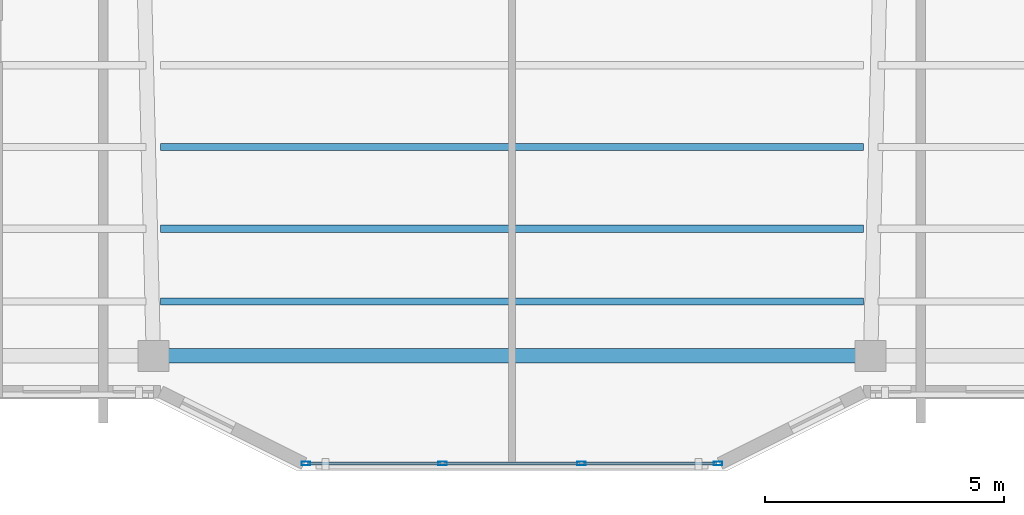
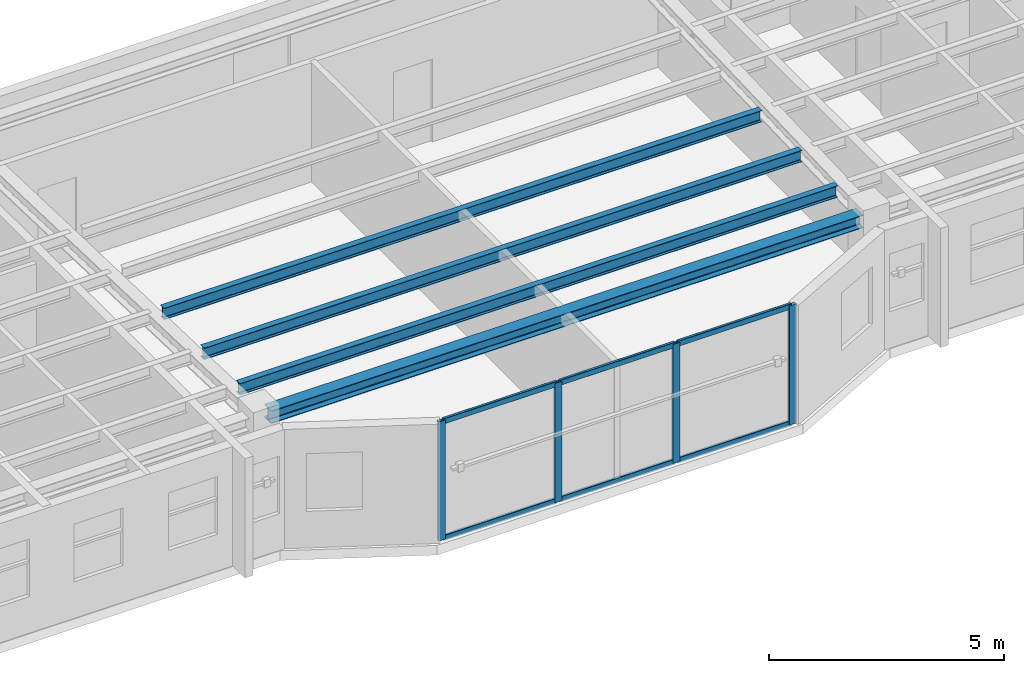
# One storey, part 2 of 14: 10 members, 4 beams, 1 element without a shape of its own.
"""IFC4 building model written with IfcOpenShell, lengths in metres."""

from ifc_helpers import new_model, si_unit, direction, frame, origin, origin_2d, place, context, subcontext, project, spatial, hollow_rectangle, i_section, extrude, material, layer, layer_set, material_profile, profile_set, type_object, element, aggregate, save


model = new_model("IFC4")

# Units and contexts
model_context = context("Model", 3, precision=1e-05, world=origin(), true_north=direction((0.0, 1.0)))
body_context = subcontext(model_context, "Body", "Model", "MODEL_VIEW")
ifc_project = project(units=[si_unit("LENGTHUNIT", "METRE"), si_unit("AREAUNIT", "SQUARE_METRE"), si_unit("VOLUMEUNIT", "CUBIC_METRE"), si_unit("PLANEANGLEUNIT", "RADIAN"), si_unit("MASSUNIT", "GRAM", prefix="KILO")], contexts=[model_context])

# Site, building, storey
site_placement = place(None, origin())
site = spatial("IfcSite", under=ifc_project, at=site_placement, CompositionType="ELEMENT")
building_placement = place(site_placement, origin())
building = spatial("IfcBuilding", under=site, at=building_placement, Name="Tarnavaz Court Tower", CompositionType="ELEMENT")
storey_placement = place(building_placement, frame((0.0, 0.0, 254.89990234375)))
storey = spatial("IfcBuildingStorey", under=building, at=storey_placement, Name="L69", CompositionType="ELEMENT", Elevation=254.89990234375)

# Beams
ifc_material_1 = material(Name="Steel S355", Category="steel")
ifc_material_profile_1 = material_profile(ifc_material_1, i_section(OverallWidth=0.14990234375, OverallDepth=0.300048828125, WebThickness=0.007080078125, FlangeThickness=0.0107421875, FilletRadius=0.014892578125, at=origin_2d()), Name="IPE 300")
ifc_profile_set_1 = profile_set([ifc_material_profile_1], Name="Steel S355")
beam_type_1 = type_object("IfcBeamType", Name="BM-J-IPE300", PredefinedType="JOIST", material=ifc_profile_set_1)
for number, where, z_axis, x_axis, name in (
    (1, (-7.35009765625, -15.72998046875, 2.9501953125), (1.0, 0.0, 0.0), (0.0, 1.0, 0.0), "L69 Beam JS3-2"),
    (2, (-7.35009765625, -17.43994140625, 2.9501953125), (1.0, 0.0, 0.0), (0.0, 1.0, 0.0), "L69 Beam JS4-2"),
    (3, (-7.35009765625, -18.9599609375, 2.9501953125), (1.0, 0.0, 0.0), (0.0, 1.0, 0.0), "L69 Beam JS5-2"),
):
    element("IfcBeam", number, at=place(storey_placement, frame(where, z_axis=z_axis, x_axis=x_axis)), inside=storey, type_object=beam_type_1, Name=name, PredefinedType="JOIST", context=body_context, shape_type="SweptSolid", body=[
        extrude(i_section(OverallWidth=0.14990234375, OverallDepth=0.300048828125, WebThickness=0.007080078125, FlangeThickness=0.0107421875, FilletRadius=0.014892578125, at=origin_2d()), origin(), (0.0, 0.0, 1.0), 14.7001953125),
    ])
ifc_material_profile_2 = material_profile(ifc_material_1, i_section(OverallWidth=0.300048828125, OverallDepth=0.330078125, WebThickness=0.009521484375, FlangeThickness=0.0166015625, FilletRadius=0.027099609375, at=origin_2d()), Name="HEA 340")
ifc_profile_set_2 = profile_set([ifc_material_profile_2], Name="Steel S355")
beam_type_2 = type_object("IfcBeamType", Name="BM-SP-HEA340", PredefinedType="BEAM", material=ifc_profile_set_2)
beam_placement = place(storey_placement, frame((-7.280029296875, -20.10009765625, 2.93505859375), z_axis=(1.0, 0.0, 0.0), x_axis=(0.0, 1.0, 0.0)))
element("IfcBeam", 4, at=beam_placement, inside=storey, type_object=beam_type_2, Name="L69 Beam PR-PS-2-PS-3", PredefinedType="BEAM", context=body_context, shape_type="SweptSolid", body=[
    extrude(i_section(OverallWidth=0.300048828125, OverallDepth=0.330078125, WebThickness=0.009521484375, FlangeThickness=0.0166015625, FilletRadius=0.027099609375, at=origin_2d()), origin(), (0.0, 0.0, 1.0), 14.56005859375),
])

# Curtain wall, members
ifc_material_2 = material(Name="Anodised Aluminium 6063-T6 and Solar Low-E Glazing", Category="aluminium")
ifc_layer = layer(ifc_material_2, 0.159912109375)
ifc_layer_set = layer_set([ifc_layer], Name="Anodised Aluminium 6063-T6 and Solar Low-E Glazing")
curtain_wall_type = type_object("IfcCurtainWallType", Name="CW-SYS-03", PredefinedType="NOTDEFINED", material=ifc_layer_set)
curtain_wall_placement = place(storey_placement, origin())
curtain_wall = element("IfcCurtainWall", 5, at=curtain_wall_placement, inside=storey, type_object=curtain_wall_type, Name="L69 Iwan Prow Curtain Wall 17", PredefinedType="NOTDEFINED")
ifc_material_3 = material(Name="Anodised Aluminium 6063-T6", Category="aluminium")
ifc_material_profile_3 = material_profile(ifc_material_3, hollow_rectangle(XDim=0.074951171875, YDim=0.179931640625, WallThickness=0.0048828125, InnerFilletRadius=0.0048828125, OuterFilletRadius=0.010009765625, at=origin_2d()), Name="ALU RHS 180X75X5")
ifc_profile_set_3 = profile_set([ifc_material_profile_3], Name="Anodised Aluminium 6063-T6")
member_type_1 = type_object("IfcMemberType", Name="CW-MUL-180", PredefinedType="MULLION", material=ifc_profile_set_3)
member_1_placement = place(storey_placement, frame((4.3125, -22.35009765625, 0.0), z_axis=(0.0, 0.0, 1.0), x_axis=(0.0, -1.0, 0.0)))
member_1 = element("IfcMember", 6, at=member_1_placement, type_object=member_type_1, Name="CW mullion 1", PredefinedType="MULLION", context=body_context, shape_type="SweptSolid", body=[
    extrude(hollow_rectangle(XDim=0.074951171875, YDim=0.179931640625, WallThickness=0.0048828125, InnerFilletRadius=0.0048828125, OuterFilletRadius=0.010009765625, at=origin_2d()), origin(), (0.0, 0.0, 1.0), 3.10009765625),
])
member_2_placement = place(storey_placement, frame((1.449951171875, -22.35009765625, 0.0), z_axis=(0.0, 0.0, 1.0), x_axis=(0.0, -1.0, 0.0)))
member_2 = element("IfcMember", 7, at=member_2_placement, type_object=member_type_1, Name="CW mullion 2", PredefinedType="MULLION", context=body_context, shape_type="SweptSolid", body=[
    extrude(hollow_rectangle(XDim=0.074951171875, YDim=0.179931640625, WallThickness=0.0048828125, InnerFilletRadius=0.0048828125, OuterFilletRadius=0.010009765625, at=origin_2d()), origin(), (0.0, 0.0, 1.0), 3.10009765625),
])
member_3_placement = place(storey_placement, frame((-1.449951171875, -22.35009765625, 0.0), z_axis=(0.0, 0.0, 1.0), x_axis=(0.0, -1.0, 0.0)))
member_3 = element("IfcMember", 8, at=member_3_placement, type_object=member_type_1, Name="CW mullion 3", PredefinedType="MULLION", context=body_context, shape_type="SweptSolid", body=[
    extrude(hollow_rectangle(XDim=0.074951171875, YDim=0.179931640625, WallThickness=0.0048828125, InnerFilletRadius=0.0048828125, OuterFilletRadius=0.010009765625, at=origin_2d()), origin(), (0.0, 0.0, 1.0), 3.10009765625),
])
member_4_placement = place(storey_placement, frame((-4.3125, -22.35009765625, 0.0), z_axis=(0.0, 0.0, 1.0), x_axis=(0.0, -1.0, 0.0)))
member_4 = element("IfcMember", 9, at=member_4_placement, type_object=member_type_1, Name="CW mullion 4", PredefinedType="MULLION", context=body_context, shape_type="SweptSolid", body=[
    extrude(hollow_rectangle(XDim=0.074951171875, YDim=0.179931640625, WallThickness=0.0048828125, InnerFilletRadius=0.0048828125, OuterFilletRadius=0.010009765625, at=origin_2d()), origin(), (0.0, 0.0, 1.0), 3.10009765625),
])
ifc_material_profile_4 = material_profile(ifc_material_3, hollow_rectangle(XDim=0.06494140625, YDim=0.139892578125, WallThickness=0.00390625, InnerFilletRadius=0.00390625, OuterFilletRadius=0.008056640625, at=origin_2d()), Name="ALU RHS 140X65X4")
ifc_profile_set_4 = profile_set([ifc_material_profile_4], Name="Anodised Aluminium 6063-T6")
member_type_2 = type_object("IfcMemberType", Name="CW-TRN-140", PredefinedType="USERDEFINED", material=ifc_profile_set_4)
member_5_placement = place(storey_placement, frame((4.27490234375, -22.35009765625, 0.03271484375), z_axis=(-1.0, 0.0, 0.0), x_axis=(0.0, -1.0, 0.0)))
member_5 = element("IfcMember", 10, at=member_5_placement, type_object=member_type_2, Name="CW transom 1.1", ObjectType="TRANSOM", PredefinedType="USERDEFINED", context=body_context, shape_type="SweptSolid", body=[
    extrude(hollow_rectangle(XDim=0.06494140625, YDim=0.139892578125, WallThickness=0.00390625, InnerFilletRadius=0.00390625, OuterFilletRadius=0.008056640625, at=origin_2d()), origin(), (0.0, 0.0, 1.0), 2.787353515625),
])
member_6_placement = place(storey_placement, frame((4.27490234375, -22.35009765625, 3.067626953125), z_axis=(-1.0, 0.0, 0.0), x_axis=(0.0, -1.0, 0.0)))
member_6 = element("IfcMember", 11, at=member_6_placement, type_object=member_type_2, Name="CW transom 1.2", ObjectType="TRANSOM", PredefinedType="USERDEFINED", context=body_context, shape_type="SweptSolid", body=[
    extrude(hollow_rectangle(XDim=0.06494140625, YDim=0.139892578125, WallThickness=0.00390625, InnerFilletRadius=0.00390625, OuterFilletRadius=0.008056640625, at=origin_2d()), origin(), (0.0, 0.0, 1.0), 2.787353515625),
])
member_7_placement = place(storey_placement, frame((1.41259765625, -22.35009765625, 0.03271484375), z_axis=(-1.0, 0.0, 0.0), x_axis=(0.0, -1.0, 0.0)))
member_7 = element("IfcMember", 12, at=member_7_placement, type_object=member_type_2, Name="CW transom 2.1", ObjectType="TRANSOM", PredefinedType="USERDEFINED", context=body_context, shape_type="SweptSolid", body=[
    extrude(hollow_rectangle(XDim=0.06494140625, YDim=0.139892578125, WallThickness=0.00390625, InnerFilletRadius=0.00390625, OuterFilletRadius=0.008056640625, at=origin_2d()), origin(), (0.0, 0.0, 1.0), 2.8251953125),
])
member_8_placement = place(storey_placement, frame((1.41259765625, -22.35009765625, 3.067626953125), z_axis=(-1.0, 0.0, 0.0), x_axis=(0.0, -1.0, 0.0)))
member_8 = element("IfcMember", 13, at=member_8_placement, type_object=member_type_2, Name="CW transom 2.2", ObjectType="TRANSOM", PredefinedType="USERDEFINED", context=body_context, shape_type="SweptSolid", body=[
    extrude(hollow_rectangle(XDim=0.06494140625, YDim=0.139892578125, WallThickness=0.00390625, InnerFilletRadius=0.00390625, OuterFilletRadius=0.008056640625, at=origin_2d()), origin(), (0.0, 0.0, 1.0), 2.8251953125),
])
member_9_placement = place(storey_placement, frame((-1.487548828125, -22.35009765625, 0.03271484375), z_axis=(-1.0, 0.0, 0.0), x_axis=(0.0, -1.0, 0.0)))
member_9 = element("IfcMember", 14, at=member_9_placement, type_object=member_type_2, Name="CW transom 3.1", ObjectType="TRANSOM", PredefinedType="USERDEFINED", context=body_context, shape_type="SweptSolid", body=[
    extrude(hollow_rectangle(XDim=0.06494140625, YDim=0.139892578125, WallThickness=0.00390625, InnerFilletRadius=0.00390625, OuterFilletRadius=0.008056640625, at=origin_2d()), origin(), (0.0, 0.0, 1.0), 2.787353515625),
])
member_10_placement = place(storey_placement, frame((-1.487548828125, -22.35009765625, 3.067626953125), z_axis=(-1.0, 0.0, 0.0), x_axis=(0.0, -1.0, 0.0)))
member_10 = element("IfcMember", 15, at=member_10_placement, type_object=member_type_2, Name="CW transom 3.2", ObjectType="TRANSOM", PredefinedType="USERDEFINED", context=body_context, shape_type="SweptSolid", body=[
    extrude(hollow_rectangle(XDim=0.06494140625, YDim=0.139892578125, WallThickness=0.00390625, InnerFilletRadius=0.00390625, OuterFilletRadius=0.008056640625, at=origin_2d()), origin(), (0.0, 0.0, 1.0), 2.787353515625),
])
aggregate(curtain_wall, [member_1, member_2, member_3, member_4, member_5, member_6, member_7, member_8, member_9, member_10])

save(model, "model.ifc")
